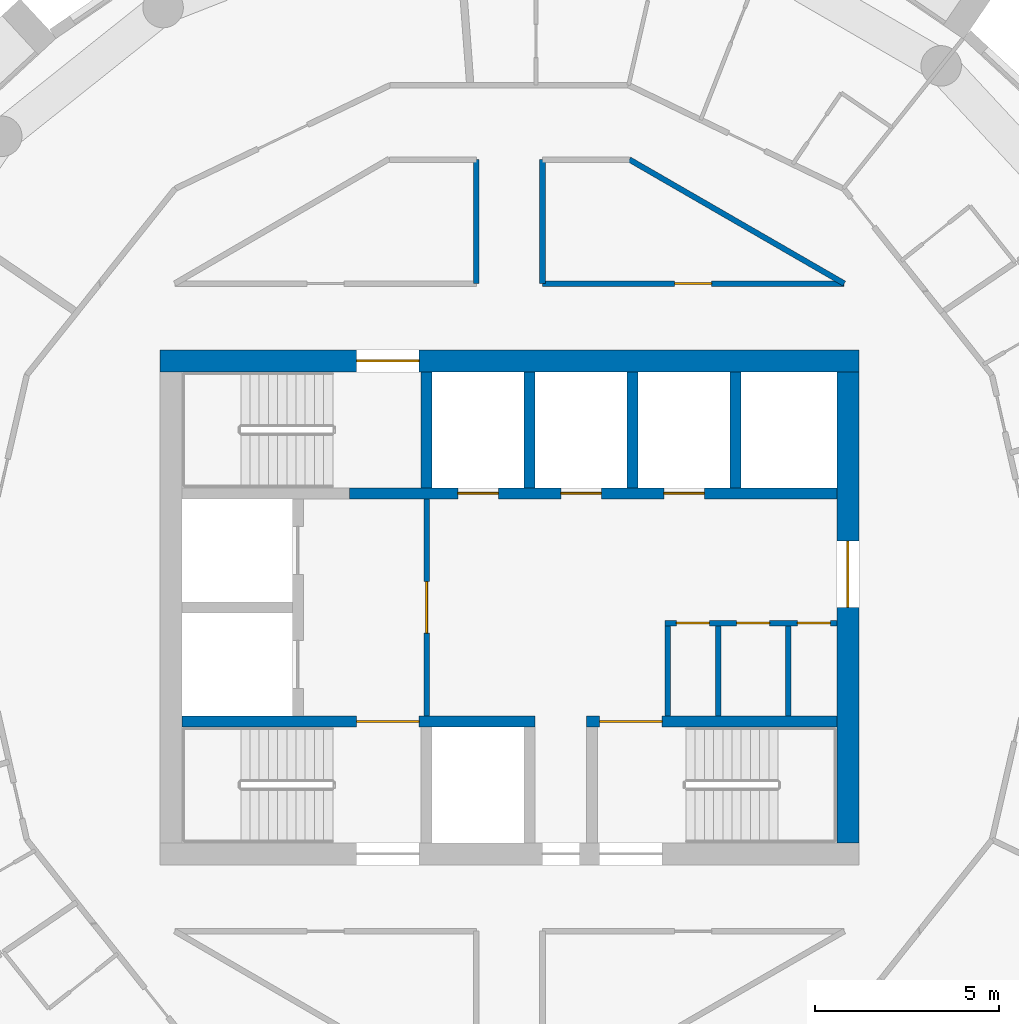
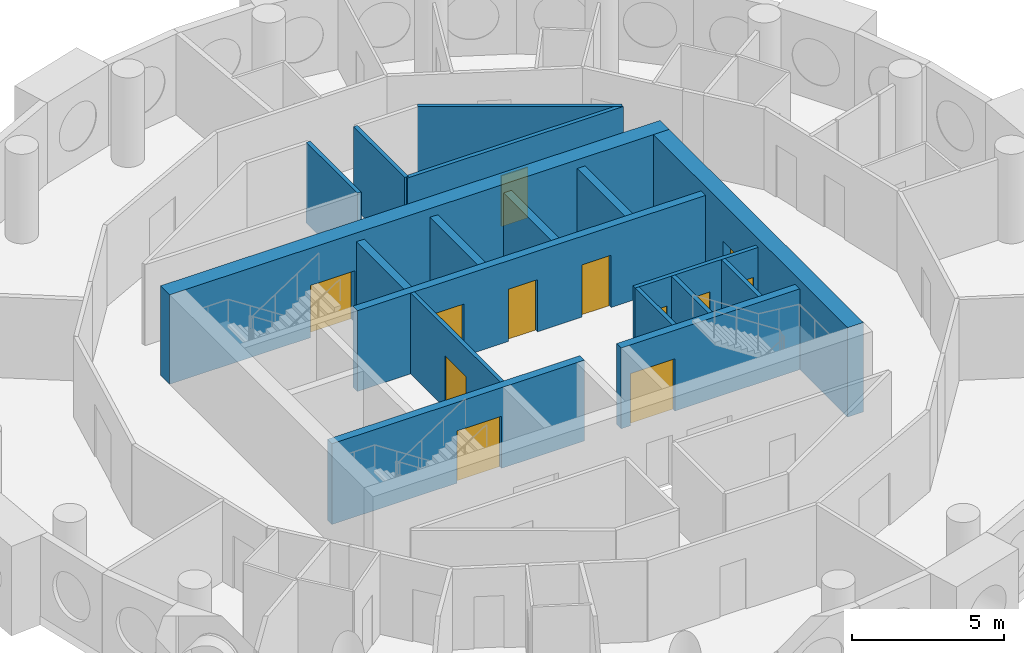
# One storey, part 8 of 13: 18 walls, 12 doors, 12 openings.
"""IFC4 building model written with IfcOpenShell, lengths in metres."""

from ifc_helpers import new_model, si_unit, direction, frame, frame_2d, origin, place, context, subcontext, project, spatial, rectangle, extrude, material, layer, layer_set, type_object, element, fill, save


model = new_model("IFC4")

# Units and contexts
model_context = context("Model", 3, precision=1e-05, world=origin(), true_north=direction((0.0, 1.0)))
body_context = subcontext(model_context, "Body", "Model", "MODEL_VIEW")
ifc_project = project(units=[si_unit("LENGTHUNIT", "METRE"), si_unit("AREAUNIT", "SQUARE_METRE"), si_unit("VOLUMEUNIT", "CUBIC_METRE"), si_unit("PLANEANGLEUNIT", "RADIAN"), si_unit("MASSUNIT", "GRAM", prefix="KILO")], contexts=[model_context])

# Site, building, storey
site_placement = place(None, origin())
site = spatial("IfcSite", under=ifc_project, at=site_placement, CompositionType="ELEMENT")
building_placement = place(site_placement, origin())
building = spatial("IfcBuilding", under=site, at=building_placement, Name="Tracery Tower", CompositionType="ELEMENT")
storey_placement = place(building_placement, frame((0.0, 0.0, 259.800048828125)))
storey = spatial("IfcBuildingStorey", under=building, at=storey_placement, Name="L67", CompositionType="ELEMENT", Elevation=259.800048828125)

# Wall, opening, door
ifc_material_1 = material(Name="Plasterboard on steel studs", Category="steel")
ifc_layer_1 = layer(ifc_material_1, 0.14990234375)
ifc_layer_set_1 = layer_set([ifc_layer_1], Name="Core lobby partition 150")
wall_type_1 = type_object("IfcWallType", Name="Core lobby partition 150", PredefinedType="SOLIDWALL", material=ifc_layer_set_1)
wall_1_placement = place(storey_placement, frame((-2.25, -2.949951171875, 0.0), z_axis=(0.0, 0.0, 1.0), x_axis=(0.0, 1.0, 0.0)))
wall_1 = element("IfcWall", 1, at=wall_1_placement, inside=storey, type_object=wall_type_1, Name="L67 FF lobby E", PredefinedType="SOLIDWALL", context=body_context, shape_type="SweptSolid", body=[
    extrude(rectangle(XDim=5.89990234375, YDim=0.14990234375, at=frame_2d((2.949951171875, 0.0))), origin(), (0.0, 0.0, 1.0), 3.25),
])
opening_1_placement = place(wall_1_placement, frame((2.25, 0.0, 0.0)))
opening_1 = element("IfcOpeningElement", 2, at=opening_1_placement, cuts=wall_1, Name="Opening KD8", PredefinedType="OPENING", context=body_context, shape_type="SweptSolid", body=[
    extrude(rectangle(XDim=1.39990234375, YDim=2.10009765625, at=frame_2d((0.699951171875, 1.050048828125))), frame((0.0, 0.074951171875, 0.0), z_axis=(0.0, -1.0, 0.0), x_axis=(1.0, 0.0, 0.0)), (0.0, 0.0, 1.0), 0.14990234375),
])
ifc_material_2 = material(Name="Steel fire door", Category="steel")
door_type_1 = type_object("IfcDoorType", Name="Core lobby door 1400 double", OperationType="NOTDEFINED", PredefinedType="DOOR", material=ifc_material_2)
door_1_placement = place(opening_1_placement, origin())
door_1 = element("IfcDoor", 3, at=door_1_placement, inside=storey, type_object=door_type_1, Name="Fire-fighting lobby door", OperationType="DOUBLE_DOOR_SINGLE_SWING", OverallHeight=2.10009765625, OverallWidth=1.39990234375, PredefinedType="DOOR", context=body_context, shape_type="SweptSolid", body=[
    extrude(rectangle(XDim=1.39990234375, YDim=2.10009765625, at=frame_2d((0.699951171875, 1.050048828125))), frame((0.0, 0.02490234375, 0.0), z_axis=(0.0, -1.0, 0.0), x_axis=(1.0, 0.0, 0.0)), (0.0, 0.0, 1.0), 0.050048828125),
])
fill(opening_1, door_1)

# Wall
ifc_material_3 = material(Name="Plasterboard on steel studs", Category="steel")
ifc_layer_2 = layer(ifc_material_3, 0.14990234375)
ifc_layer_set_2 = layer_set([ifc_layer_2], Name="Core room partition 150")
wall_type_2 = type_object("IfcWallType", Name="Core room partition 150", PredefinedType="SOLIDWALL", material=ifc_layer_set_2)
wall_2_placement = place(storey_placement, frame((4.300048828125, -2.949951171875, 0.0), z_axis=(0.0, 0.0, 1.0), x_axis=(0.0, 1.0, 0.0)))
element("IfcWall", 4, at=wall_2_placement, inside=storey, type_object=wall_type_2, Name="L67 slot W", PredefinedType="SOLIDWALL", context=body_context, shape_type="SweptSolid", body=[
    extrude(rectangle(XDim=2.449951171875, YDim=0.14990234375, at=frame_2d((1.22509765625, 0.0))), origin(), (0.0, 0.0, 1.0), 3.25),
])

# Wall, openings, doors
wall_3_placement = place(storey_placement, frame((4.22509765625, -0.425048828125, 0.0), z_axis=(0.0, 0.0, 1.0), x_axis=(1.0, 0.0, 0.0)))
wall_3 = element("IfcWall", 5, at=wall_3_placement, inside=storey, type_object=wall_type_2, Name="L67 slot N", PredefinedType="SOLIDWALL", context=body_context, shape_type="SweptSolid", body=[
    extrude(rectangle(XDim=4.6748046875, YDim=0.14990234375, at=frame_2d((2.33740234375, 0.0))), origin(), (0.0, 0.0, 1.0), 3.25),
])
opening_2_placement = place(wall_3_placement, frame((0.3125, 0.0, 0.0)))
opening_2 = element("IfcOpeningElement", 6, at=opening_2_placement, cuts=wall_3, Name="Opening KD27", PredefinedType="OPENING", context=body_context, shape_type="SweptSolid", body=[
    extrude(rectangle(XDim=0.89990234375, YDim=2.10009765625, at=frame_2d((0.449951171875, 1.050048828125))), frame((0.0, 0.074951171875, 0.0), z_axis=(0.0, -1.0, 0.0), x_axis=(1.0, 0.0, 0.0)), (0.0, 0.0, 1.0), 0.14990234375),
])
opening_3_placement = place(wall_3_placement, frame((1.949951171875, 0.0, 0.0)))
opening_3 = element("IfcOpeningElement", 7, at=opening_3_placement, cuts=wall_3, Name="Opening KD21", PredefinedType="OPENING", context=body_context, shape_type="SweptSolid", body=[
    extrude(rectangle(XDim=0.89990234375, YDim=2.10009765625, at=frame_2d((0.449951171875, 1.050048828125))), frame((0.0, 0.074951171875, 0.0), z_axis=(0.0, -1.0, 0.0), x_axis=(1.0, 0.0, 0.0)), (0.0, 0.0, 1.0), 0.14990234375),
])
opening_4_placement = place(wall_3_placement, frame((3.60009765625, 0.0, 0.0)))
opening_4 = element("IfcOpeningElement", 8, at=opening_4_placement, cuts=wall_3, Name="Opening KD27", PredefinedType="OPENING", context=body_context, shape_type="SweptSolid", body=[
    extrude(rectangle(XDim=0.89990234375, YDim=2.10009765625, at=frame_2d((0.449951171875, 1.050048828125))), frame((0.0, 0.074951171875, 0.0), z_axis=(0.0, -1.0, 0.0), x_axis=(1.0, 0.0, 0.0)), (0.0, 0.0, 1.0), 0.14990234375),
])
ifc_material_4 = material(Name="Timber door leaf", Category="wood")
door_type_2 = type_object("IfcDoorType", Name="Core WC door 900", OperationType="NOTDEFINED", PredefinedType="DOOR", material=ifc_material_4)
door_2_placement = place(opening_3_placement, origin())
door_2 = element("IfcDoor", 9, at=door_2_placement, inside=storey, type_object=door_type_2, Name="Core door", OperationType="SINGLE_SWING_LEFT", OverallHeight=2.10009765625, OverallWidth=0.89990234375, PredefinedType="DOOR", context=body_context, shape_type="SweptSolid", body=[
    extrude(rectangle(XDim=0.89990234375, YDim=2.10009765625, at=frame_2d((0.449951171875, 1.050048828125))), frame((0.0, 0.02490234375, 0.0), z_axis=(0.0, -1.0, 0.0), x_axis=(1.0, 0.0, 0.0)), (0.0, 0.0, 1.0), 0.050048828125),
])
fill(opening_3, door_2)
ifc_material_5 = material(Name="Timber door leaf", Category="wood")
door_type_3 = type_object("IfcDoorType", Name="Core store door 900", OperationType="NOTDEFINED", PredefinedType="DOOR", material=ifc_material_5)
door_3_placement = place(opening_2_placement, origin())
door_3 = element("IfcDoor", 10, at=door_3_placement, inside=storey, type_object=door_type_3, Name="Core door", OperationType="SINGLE_SWING_RIGHT", OverallHeight=2.10009765625, OverallWidth=0.89990234375, PredefinedType="DOOR", context=body_context, shape_type="SweptSolid", body=[
    extrude(rectangle(XDim=0.89990234375, YDim=2.10009765625, at=frame_2d((0.449951171875, 1.050048828125))), frame((0.0, 0.02490234375, 0.0), z_axis=(0.0, -1.0, 0.0), x_axis=(1.0, 0.0, 0.0)), (0.0, 0.0, 1.0), 0.050048828125),
])
fill(opening_2, door_3)
door_4_placement = place(opening_4_placement, origin())
door_4 = element("IfcDoor", 11, at=door_4_placement, inside=storey, type_object=door_type_3, Name="Core door", OperationType="SINGLE_SWING_RIGHT", OverallHeight=2.10009765625, OverallWidth=0.89990234375, PredefinedType="DOOR", context=body_context, shape_type="SweptSolid", body=[
    extrude(rectangle(XDim=0.89990234375, YDim=2.10009765625, at=frame_2d((0.449951171875, 1.050048828125))), frame((0.0, 0.02490234375, 0.0), z_axis=(0.0, -1.0, 0.0), x_axis=(1.0, 0.0, 0.0)), (0.0, 0.0, 1.0), 0.050048828125),
])
fill(opening_4, door_4)

# Walls
for number, where, z_axis, x_axis, name in (
    (12, (5.675048828125, -2.949951171875, 0.0), (0.0, 0.0, 1.0), (0.0, 1.0, 0.0), "L67 slot sep 1"),
    (13, (7.574951171875, -2.949951171875, 0.0), (0.0, 0.0, 1.0), (0.0, 1.0, 0.0), "L67 slot sep 2"),
):
    element("IfcWall", number, at=place(storey_placement, frame(where, z_axis=z_axis, x_axis=x_axis)), inside=storey, type_object=wall_type_2, Name=name, PredefinedType="SOLIDWALL", context=body_context, shape_type="SweptSolid", body=[
        extrude(rectangle(XDim=2.449951171875, YDim=0.14990234375, at=frame_2d((1.22509765625, 0.0))), origin(), (0.0, 0.0, 1.0), 3.25),
    ])

# Wall, opening, door
ifc_material_6 = material(Name="Concrete C40/50", Category="concrete")
ifc_layer_3 = layer(ifc_material_6, 0.60009765625)
ifc_layer_set_3 = layer_set([ifc_layer_3], Name="Core wall 600 C40")
wall_type_3 = type_object("IfcWallType", Name="Core wall 600 C40", PredefinedType="SOLIDWALL", material=ifc_layer_set_3)
wall_4_placement = place(storey_placement, frame((-9.5, 6.699951171875, 0.0), z_axis=(0.0, 0.0, 1.0), x_axis=(1.0, 0.0, 0.0)))
wall_4 = element("IfcWall", 14, at=wall_4_placement, inside=storey, type_object=wall_type_3, Name="L67 outer N", PredefinedType="SOLIDWALL", context=body_context, shape_type="SweptSolid", body=[
    extrude(rectangle(XDim=19.0, YDim=0.60009765625, at=frame_2d((9.5, 0.0))), origin(), (0.0, 0.0, 1.0), 3.599853515625),
])
opening_5_placement = place(wall_4_placement, frame((5.35009765625, 0.0, 0.0)))
opening_5 = element("IfcOpeningElement", 15, at=opening_5_placement, cuts=wall_4, Name="Opening KD3", PredefinedType="OPENING", context=body_context, shape_type="SweptSolid", body=[
    extrude(rectangle(XDim=1.699951171875, YDim=2.10009765625, at=frame_2d((0.85009765625, 1.050048828125))), frame((0.0, 0.300048828125, 0.0), z_axis=(0.0, -1.0, 0.0), x_axis=(1.0, 0.0, 0.0)), (0.0, 0.0, 1.0), 0.60009765625),
])
ifc_material_7 = material(Name="Steel fire door", Category="steel")
door_type_4 = type_object("IfcDoorType", Name="Core stair door 1700 double", OperationType="NOTDEFINED", PredefinedType="DOOR", material=ifc_material_7)
door_5_placement = place(opening_5_placement, origin())
door_5 = element("IfcDoor", 16, at=door_5_placement, inside=storey, type_object=door_type_4, Name="Stair door ST3 exit", OperationType="DOUBLE_DOOR_SINGLE_SWING", OverallHeight=2.10009765625, OverallWidth=1.699951171875, PredefinedType="DOOR", context=body_context, shape_type="SweptSolid", body=[
    extrude(rectangle(XDim=1.699951171875, YDim=2.10009765625, at=frame_2d((0.85009765625, 1.050048828125))), frame((0.0, 0.02490234375, 0.0), z_axis=(0.0, -1.0, 0.0), x_axis=(1.0, 0.0, 0.0)), (0.0, 0.0, 1.0), 0.050048828125),
])
fill(opening_5, door_5)

wall_5_placement = place(storey_placement, frame((9.199951171875, -6.39990234375, 0.0), z_axis=(0.0, 0.0, 1.0), x_axis=(0.0, 1.0, 0.0)))
wall_5 = element("IfcWall", 17, at=wall_5_placement, inside=storey, type_object=wall_type_3, Name="L67 outer E", PredefinedType="SOLIDWALL", context=body_context, shape_type="SweptSolid", body=[
    extrude(rectangle(XDim=12.7998046875, YDim=0.60009765625, at=frame_2d((6.39990234375, 0.0))), origin(), (0.0, 0.0, 1.0), 3.599853515625),
])
opening_6_placement = place(wall_5_placement, frame((6.39990234375, 0.0, 0.0)))
opening_6 = element("IfcOpeningElement", 18, at=opening_6_placement, cuts=wall_5, Name="Opening KD13", PredefinedType="OPENING", context=body_context, shape_type="SweptSolid", body=[
    extrude(rectangle(XDim=1.800048828125, YDim=2.10009765625, at=frame_2d((0.89990234375, 1.050048828125))), frame((0.0, 0.300048828125, 0.0), z_axis=(0.0, -1.0, 0.0), x_axis=(1.0, 0.0, 0.0)), (0.0, 0.0, 1.0), 0.60009765625),
])
ifc_material_8 = material(Name="Steel fire door", Category="steel")
door_type_5 = type_object("IfcDoorType", Name="Core exit door 1800 double", OperationType="NOTDEFINED", PredefinedType="DOOR", material=ifc_material_8)
door_6_placement = place(opening_6_placement, origin())
door_6 = element("IfcDoor", 19, at=door_6_placement, inside=storey, type_object=door_type_5, Name="Core exit door", OperationType="DOUBLE_DOOR_SINGLE_SWING", OverallHeight=2.10009765625, OverallWidth=1.800048828125, PredefinedType="DOOR", context=body_context, shape_type="SweptSolid", body=[
    extrude(rectangle(XDim=1.800048828125, YDim=2.10009765625, at=frame_2d((0.89990234375, 1.050048828125))), frame((0.0, 0.02490234375, 0.0), z_axis=(0.0, -1.0, 0.0), x_axis=(1.0, 0.0, 0.0)), (0.0, 0.0, 1.0), 0.050048828125),
])
fill(opening_6, door_6)

ifc_material_9 = material(Name="Plasterboard on steel studs", Category="steel")
ifc_layer_4 = layer(ifc_material_9, 0.14990234375)
ifc_layer_set_4 = layer_set([ifc_layer_4], Name="Partition 150 corridor wall")
wall_type_4 = type_object("IfcWallType", Name="Partition 150 corridor wall", PredefinedType="PARTITIONING", material=ifc_layer_set_4)
wall_6_placement = place(storey_placement, frame((0.89599609375, 8.800048828125, 0.0), z_axis=(0.0, 0.0, 1.0), x_axis=(1.0, 0.0, 0.0)))
wall_6 = element("IfcWall", 20, at=wall_6_placement, inside=storey, type_object=wall_type_4, Name="Corridor wall RC3-003", PredefinedType="PARTITIONING", context=body_context, shape_type="SweptSolid", body=[
    extrude(rectangle(XDim=8.20458984375, YDim=0.14990234375, at=frame_2d((4.102294921875, 0.0))), origin(), (0.0, 0.0, 1.0), 3.25),
])
opening_7_placement = place(wall_6_placement, frame((3.597900390625, 0.0, 0.0)))
opening_7 = element("IfcOpeningElement", 21, at=opening_7_placement, cuts=wall_6, Name="Opening RC3-02", PredefinedType="OPENING", context=body_context, shape_type="SweptSolid", body=[
    extrude(rectangle(XDim=1.0, YDim=2.0400390625, at=frame_2d((0.5, 1.02001953125))), frame((0.0, 0.074951171875, 0.0), z_axis=(0.0, -1.0, 0.0), x_axis=(1.0, 0.0, 0.0)), (0.0, 0.0, 1.0), 0.14990234375),
])
ifc_material_10 = material(Name="Timber door leaf", Category="wood")
door_type_6 = type_object("IfcDoorType", Name="Door communal room 1000", OperationType="NOTDEFINED", PredefinedType="DOOR", material=ifc_material_10)
door_7_placement = place(opening_7_placement, origin())
door_7 = element("IfcDoor", 22, at=door_7_placement, inside=storey, type_object=door_type_6, Name="Communal room door RC3-02", OperationType="SINGLE_SWING_RIGHT", OverallHeight=2.0400390625, OverallWidth=1.0, PredefinedType="DOOR", context=body_context, shape_type="SweptSolid", body=[
    extrude(rectangle(XDim=1.0, YDim=2.0400390625, at=frame_2d((0.5, 1.02001953125))), frame((0.0, 0.02490234375, 0.0), z_axis=(0.0, -1.0, 0.0), x_axis=(1.0, 0.0, 0.0)), (0.0, 0.0, 1.0), 0.050048828125),
])
fill(opening_7, door_7)

# Walls
wall_7_placement = place(storey_placement, frame((-0.89990234375, 8.800048828125, 0.0), z_axis=(0.0, 0.0, 1.0), x_axis=(0.0, 1.0, 0.0)))
element("IfcWall", 23, at=wall_7_placement, inside=storey, type_object=wall_type_4, Name="Corridor wall RC3-026", PredefinedType="PARTITIONING", context=body_context, shape_type="SweptSolid", body=[
    extrude(rectangle(XDim=3.370849609375, YDim=0.14990234375, at=frame_2d((1.685546875, 0.0))), origin(), (0.0, 0.0, 1.0), 3.25),
])
wall_8_placement = place(storey_placement, frame((3.260986328125, 12.1708984375, 0.0), z_axis=(0.0, 0.0, 1.0), x_axis=(0.866066809554, -0.499928276245, 0.0)))
element("IfcWall", 24, at=wall_8_placement, inside=storey, type_object=wall_type_4, Name="Corridor wall RC3-028", PredefinedType="PARTITIONING", context=body_context, shape_type="SweptSolid", body=[
    extrude(rectangle(XDim=6.74267578125, YDim=0.14990234375, at=frame_2d((3.371337890625, 0.0))), origin(), (0.0, 0.0, 1.0), 3.25),
])
wall_9_placement = place(storey_placement, frame((0.89990234375, 8.800048828125, 0.0), z_axis=(0.0, 0.0, 1.0), x_axis=(0.0, 1.0, 0.0)))
element("IfcWall", 25, at=wall_9_placement, inside=storey, type_object=wall_type_4, Name="Corridor wall RC3-030", PredefinedType="PARTITIONING", context=body_context, shape_type="SweptSolid", body=[
    extrude(rectangle(XDim=3.370849609375, YDim=0.14990234375, at=frame_2d((1.685546875, 0.0))), origin(), (0.0, 0.0, 1.0), 3.25),
])
ifc_material_11 = material(Name="Concrete C40/50", Category="concrete")
ifc_layer_5 = layer(ifc_material_11, 0.300048828125)
ifc_layer_set_5 = layer_set([ifc_layer_5], Name="Shaft wall 300 C40")
wall_type_5 = type_object("IfcWallType", Name="Shaft wall 300 C40", PredefinedType="SOLIDWALL", material=ifc_layer_set_5)
for number, where, z_axis, x_axis, name in (
    (26, (0.550048828125, 3.25, 0.0), (0.0, 0.0, 1.0), (0.0, 1.0, 0.0), "L67 HR sep 1"),
    (27, (3.35009765625, 3.25, 0.0), (0.0, 0.0, 1.0), (0.0, 1.0, 0.0), "L67 HR sep 2"),
    (28, (6.14990234375, 3.25, 0.0), (0.0, 0.0, 1.0), (0.0, 1.0, 0.0), "L67 HR sep 3"),
):
    element("IfcWall", number, at=place(storey_placement, frame(where, z_axis=z_axis, x_axis=x_axis)), inside=storey, type_object=wall_type_5, Name=name, PredefinedType="SOLIDWALL", context=body_context, shape_type="SweptSolid", body=[
        extrude(rectangle(XDim=3.14990234375, YDim=0.300048828125, at=frame_2d((1.574951171875, 0.0))), origin(), (0.0, 0.0, 1.0), 3.25),
    ])

# Wall, opening, door
ifc_material_12 = material(Name="Concrete C40/50", Category="concrete")
ifc_layer_6 = layer(ifc_material_12, 0.300048828125)
ifc_layer_set_6 = layer_set([ifc_layer_6], Name="Stair wall 300 C40")
wall_type_6 = type_object("IfcWallType", Name="Stair wall 300 C40", PredefinedType="SOLIDWALL", material=ifc_layer_set_6)
wall_10_placement = place(storey_placement, frame((-8.89990234375, -3.10009765625, 0.0), z_axis=(0.0, 0.0, 1.0), x_axis=(1.0, 0.0, 0.0)))
wall_10 = element("IfcWall", 29, at=wall_10_placement, inside=storey, type_object=wall_type_6, Name="L67 row S", PredefinedType="SOLIDWALL", context=body_context, shape_type="SweptSolid", body=[
    extrude(rectangle(XDim=9.599853515625, YDim=0.300048828125, at=frame_2d((4.7998046875, 0.0))), origin(), (0.0, 0.0, 1.0), 3.25),
])
opening_8_placement = place(wall_10_placement, frame((4.75, 0.0, 0.0)))
opening_8 = element("IfcOpeningElement", 30, at=opening_8_placement, cuts=wall_10, Name="Opening KD3", PredefinedType="OPENING", context=body_context, shape_type="SweptSolid", body=[
    extrude(rectangle(XDim=1.699951171875, YDim=2.10009765625, at=frame_2d((0.85009765625, 1.050048828125))), frame((0.0, 0.14990234375, 0.0), z_axis=(0.0, -1.0, 0.0), x_axis=(1.0, 0.0, 0.0)), (0.0, 0.0, 1.0), 0.300048828125),
])
door_8_placement = place(opening_8_placement, origin())
door_8 = element("IfcDoor", 31, at=door_8_placement, inside=storey, type_object=door_type_4, Name="Stair door ST1", OperationType="DOUBLE_DOOR_SINGLE_SWING", OverallHeight=2.10009765625, OverallWidth=1.699951171875, PredefinedType="DOOR", context=body_context, shape_type="SweptSolid", body=[
    extrude(rectangle(XDim=1.699951171875, YDim=2.10009765625, at=frame_2d((0.85009765625, 1.050048828125))), frame((0.0, 0.02490234375, 0.0), z_axis=(0.0, -1.0, 0.0), x_axis=(1.0, 0.0, 0.0)), (0.0, 0.0, 1.0), 0.050048828125),
])
fill(opening_8, door_8)

wall_11_placement = place(storey_placement, frame((2.10009765625, -3.10009765625, 0.0), z_axis=(0.0, 0.0, 1.0), x_axis=(1.0, 0.0, 0.0)))
wall_11 = element("IfcWall", 32, at=wall_11_placement, inside=storey, type_object=wall_type_6, Name="L67 row S E", PredefinedType="SOLIDWALL", context=body_context, shape_type="SweptSolid", body=[
    extrude(rectangle(XDim=6.7998046875, YDim=0.300048828125, at=frame_2d((3.39990234375, 0.0))), origin(), (0.0, 0.0, 1.0), 3.25),
])
opening_9_placement = place(wall_11_placement, frame((0.35009765625, 0.0, 0.0)))
opening_9 = element("IfcOpeningElement", 33, at=opening_9_placement, cuts=wall_11, Name="Opening KD3", PredefinedType="OPENING", context=body_context, shape_type="SweptSolid", body=[
    extrude(rectangle(XDim=1.699951171875, YDim=2.10009765625, at=frame_2d((0.85009765625, 1.050048828125))), frame((0.0, 0.14990234375, 0.0), z_axis=(0.0, -1.0, 0.0), x_axis=(1.0, 0.0, 0.0)), (0.0, 0.0, 1.0), 0.300048828125),
])
door_9_placement = place(opening_9_placement, origin())
door_9 = element("IfcDoor", 34, at=door_9_placement, inside=storey, type_object=door_type_4, Name="Stair door ST2", OperationType="DOUBLE_DOOR_SINGLE_SWING", OverallHeight=2.10009765625, OverallWidth=1.699951171875, PredefinedType="DOOR", context=body_context, shape_type="SweptSolid", body=[
    extrude(rectangle(XDim=1.699951171875, YDim=2.10009765625, at=frame_2d((0.85009765625, 1.050048828125))), frame((0.0, 0.02490234375, 0.0), z_axis=(0.0, -1.0, 0.0), x_axis=(1.0, 0.0, 0.0)), (0.0, 0.0, 1.0), 0.050048828125),
])
fill(opening_9, door_9)

# Wall, openings, doors
wall_12_placement = place(storey_placement, frame((-4.35009765625, 3.10009765625, 0.0), z_axis=(0.0, 0.0, 1.0), x_axis=(1.0, 0.0, 0.0)))
wall_12 = element("IfcWall", 35, at=wall_12_placement, inside=storey, type_object=wall_type_6, Name="L67 row N", PredefinedType="SOLIDWALL", context=body_context, shape_type="SweptSolid", body=[
    extrude(rectangle(XDim=13.25, YDim=0.300048828125, at=frame_2d((6.625, 0.0))), origin(), (0.0, 0.0, 1.0), 3.25),
])
opening_10_placement = place(wall_12_placement, frame((2.949951171875, 0.0, 0.0)))
opening_10 = element("IfcOpeningElement", 36, at=opening_10_placement, cuts=wall_12, Name="Opening KD49", PredefinedType="OPENING", context=body_context, shape_type="SweptSolid", body=[
    extrude(rectangle(XDim=1.10009765625, YDim=2.10009765625, at=frame_2d((0.550048828125, 1.050048828125))), frame((0.0, 0.14990234375, 0.0), z_axis=(0.0, -1.0, 0.0), x_axis=(1.0, 0.0, 0.0)), (0.0, 0.0, 1.0), 0.300048828125),
])
opening_11_placement = place(wall_12_placement, frame((5.75, 0.0, 0.0)))
opening_11 = element("IfcOpeningElement", 37, at=opening_11_placement, cuts=wall_12, Name="Opening KD50", PredefinedType="OPENING", context=body_context, shape_type="SweptSolid", body=[
    extrude(rectangle(XDim=1.10009765625, YDim=2.10009765625, at=frame_2d((0.550048828125, 1.050048828125))), frame((0.0, 0.14990234375, 0.0), z_axis=(0.0, -1.0, 0.0), x_axis=(1.0, 0.0, 0.0)), (0.0, 0.0, 1.0), 0.300048828125),
])
opening_12_placement = place(wall_12_placement, frame((8.550048828125, 0.0, 0.0)))
opening_12 = element("IfcOpeningElement", 38, at=opening_12_placement, cuts=wall_12, Name="Opening KD49", PredefinedType="OPENING", context=body_context, shape_type="SweptSolid", body=[
    extrude(rectangle(XDim=1.10009765625, YDim=2.10009765625, at=frame_2d((0.550048828125, 1.050048828125))), frame((0.0, 0.14990234375, 0.0), z_axis=(0.0, -1.0, 0.0), x_axis=(1.0, 0.0, 0.0)), (0.0, 0.0, 1.0), 0.300048828125),
])
ifc_material_13 = material(Name="Steel fire door", Category="steel")
door_type_7 = type_object("IfcDoorType", Name="Landing door 1100", OperationType="NOTDEFINED", PredefinedType="DOOR", material=ifc_material_13)
door_10_placement = place(opening_10_placement, origin())
door_10 = element("IfcDoor", 39, at=door_10_placement, inside=storey, type_object=door_type_7, Name="Landing door HR1", OperationType="SLIDING_TO_LEFT", OverallHeight=2.10009765625, OverallWidth=1.10009765625, PredefinedType="DOOR", context=body_context, shape_type="SweptSolid", body=[
    extrude(rectangle(XDim=1.10009765625, YDim=2.10009765625, at=frame_2d((0.550048828125, 1.050048828125))), frame((0.0, 0.02490234375, 0.0), z_axis=(0.0, -1.0, 0.0), x_axis=(1.0, 0.0, 0.0)), (0.0, 0.0, 1.0), 0.050048828125),
])
fill(opening_10, door_10)
door_11_placement = place(opening_11_placement, origin())
door_11 = element("IfcDoor", 40, at=door_11_placement, inside=storey, type_object=door_type_7, Name="Landing door HR2", OperationType="SLIDING_TO_RIGHT", OverallHeight=2.10009765625, OverallWidth=1.10009765625, PredefinedType="DOOR", context=body_context, shape_type="SweptSolid", body=[
    extrude(rectangle(XDim=1.10009765625, YDim=2.10009765625, at=frame_2d((0.550048828125, 1.050048828125))), frame((0.0, 0.02490234375, 0.0), z_axis=(0.0, -1.0, 0.0), x_axis=(1.0, 0.0, 0.0)), (0.0, 0.0, 1.0), 0.050048828125),
])
fill(opening_11, door_11)
door_12_placement = place(opening_12_placement, origin())
door_12 = element("IfcDoor", 41, at=door_12_placement, inside=storey, type_object=door_type_7, Name="Landing door HR3", OperationType="SLIDING_TO_LEFT", OverallHeight=2.10009765625, OverallWidth=1.10009765625, PredefinedType="DOOR", context=body_context, shape_type="SweptSolid", body=[
    extrude(rectangle(XDim=1.10009765625, YDim=2.10009765625, at=frame_2d((0.550048828125, 1.050048828125))), frame((0.0, 0.02490234375, 0.0), z_axis=(0.0, -1.0, 0.0), x_axis=(1.0, 0.0, 0.0)), (0.0, 0.0, 1.0), 0.050048828125),
])
fill(opening_12, door_12)

# Wall
wall_13_placement = place(storey_placement, frame((-2.25, 3.25, 0.0), z_axis=(0.0, 0.0, 1.0), x_axis=(0.0, 1.0, 0.0)))
element("IfcWall", 42, at=wall_13_placement, inside=storey, type_object=wall_type_6, Name="L67 ST3 E", PredefinedType="SOLIDWALL", context=body_context, shape_type="SweptSolid", body=[
    extrude(rectangle(XDim=3.14990234375, YDim=0.300048828125, at=frame_2d((1.574951171875, 0.0))), origin(), (0.0, 0.0, 1.0), 3.25),
])

save(model, "model.ifc")
